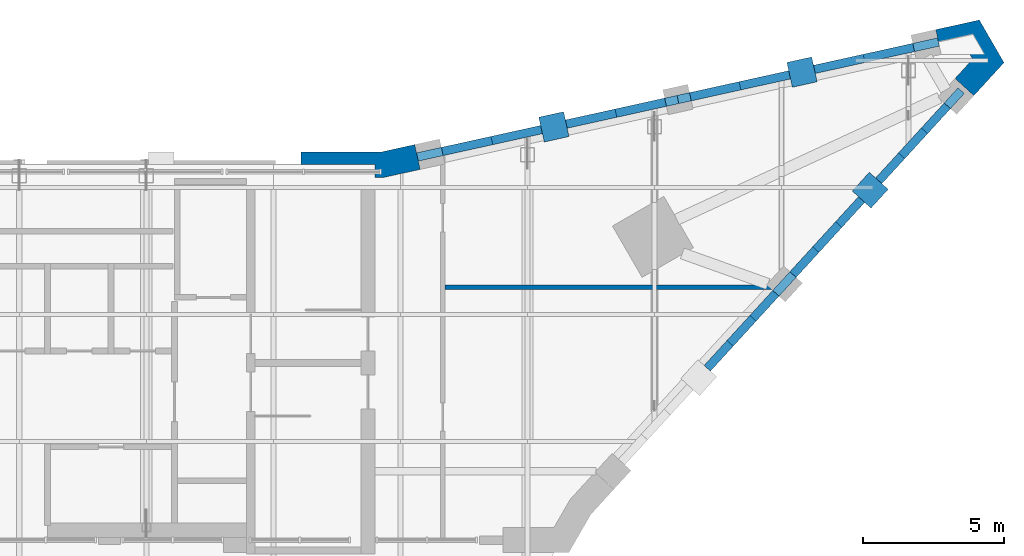
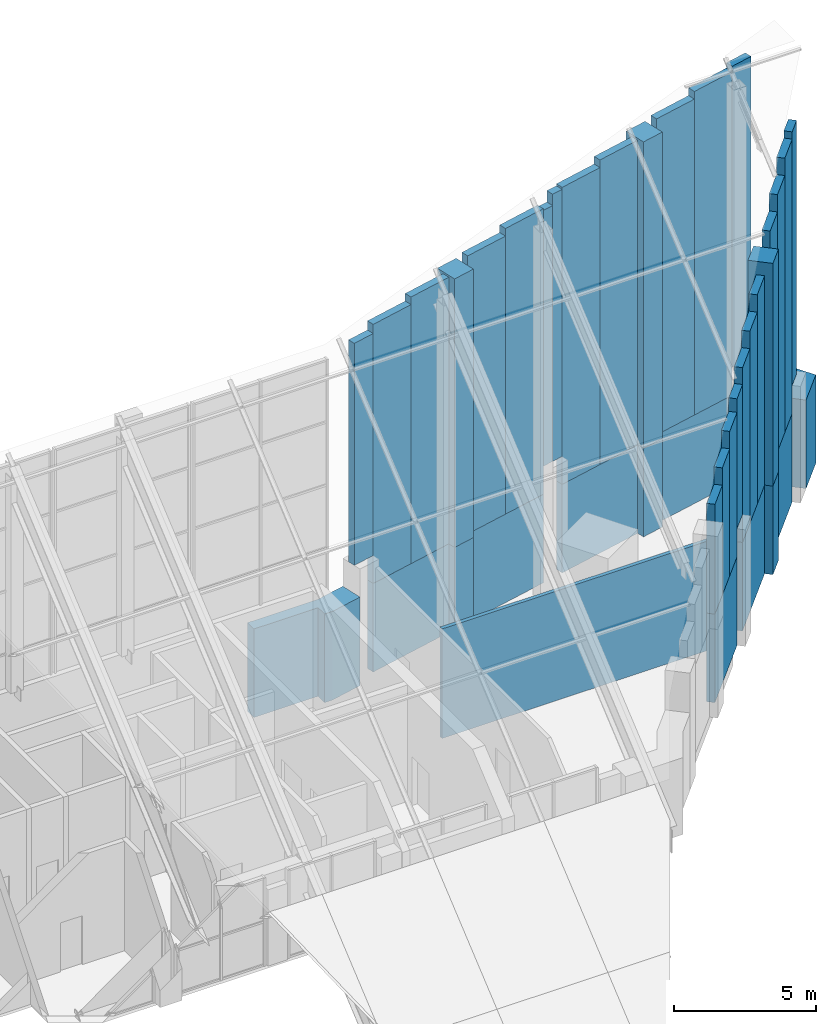
# One storey, part 14 of 19: 39 walls.
"""IFC4 building model written with IfcOpenShell, lengths in metres."""

from ifc_helpers import new_model, si_unit, direction, frame, frame_2d, origin, place, context, subcontext, project, spatial, polyline, rectangle, outline, extrude, material, layer, layer_set, type_object, element, save


model = new_model("IFC4")

# Units and contexts
model_context = context("Model", 3, precision=1e-05, world=origin(), true_north=direction((0.0, 1.0)))
body_context = subcontext(model_context, "Body", "Model", "MODEL_VIEW")
ifc_project = project(units=[si_unit("LENGTHUNIT", "METRE"), si_unit("AREAUNIT", "SQUARE_METRE"), si_unit("VOLUMEUNIT", "CUBIC_METRE"), si_unit("PLANEANGLEUNIT", "RADIAN"), si_unit("MASSUNIT", "GRAM", prefix="KILO")], contexts=[model_context])

# Site, building, storey
site_placement = place(None, origin())
site = spatial("IfcSite", under=ifc_project, at=site_placement, CompositionType="ELEMENT")
building_placement = place(site_placement, origin())
building = spatial("IfcBuilding", under=site, at=building_placement, Name="Calabash Gate Tower", CompositionType="ELEMENT")
storey_placement = place(building_placement, frame((0.0, 0.0, 335.5)))
storey = spatial("IfcBuildingStorey", under=building, at=storey_placement, Name="L78", CompositionType="ELEMENT", Elevation=335.5)

# Walls
ifc_material_1 = material(Name="Terracotta brick masonry, exposed face", Category="masonry")
ifc_layer_1 = layer(ifc_material_1, 0.89990234375)
ifc_layer_set_1 = layer_set([ifc_layer_1], Name="Brick end wall 900")
wall_type_1 = type_object("IfcWallType", Name="Brick end wall 900", PredefinedType="SOLIDWALL", material=ifc_layer_set_1)
wall_1_placement = place(storey_placement, frame((30.44482421875, 18.47900390625, 0.0), z_axis=(0.0, 0.0, 1.0), x_axis=(-0.674938051731, -0.737874397391, 0.0)))
element("IfcWall", 1, at=wall_1_placement, inside=storey, type_object=wall_type_1, Name="Brick pier L78 crown3.3", PredefinedType="SOLIDWALL", context=body_context, shape_type="SweptSolid", body=[
    extrude(rectangle(XDim=0.89990234375, YDim=0.89990234375, at=frame_2d((0.449951171875, 0.0))), origin(), (0.0, 0.0, 1.0), 3.800048828125),
])
for number, where, z_axis, x_axis, name in (
    (2, (28.16650390625, 22.42529296875, 0.0), (0.0, 0.0, 1.0), (-0.976473402733, -0.215637876437, 0.0), "Brick pier L78 crown5.1"),
    (3, (18.4990234375, 20.2919921875, 0.0), (0.0, 0.0, 1.0), (0.976473402733, 0.215637876437, 0.0), "Brick pier L78 crown5.3"),
):
    element("IfcWall", number, at=place(storey_placement, frame(where, z_axis=z_axis, x_axis=x_axis)), inside=storey, type_object=wall_type_1, Name=name, PredefinedType="SOLIDWALL", context=body_context, shape_type="SweptSolid", body=[
        extrude(rectangle(XDim=0.900146484375, YDim=0.89990234375, at=frame_2d((0.4501953125, 0.0))), origin(), (0.0, 0.0, 1.0), 3.800048828125),
    ])
wall_2_placement = place(storey_placement, origin())
element("IfcWall", 4, at=wall_2_placement, inside=storey, type_object=wall_type_1, Name="Brick end wall L78 3", PredefinedType="SOLIDWALL", context=body_context, shape_type="SweptSolid", body=[
    extrude(outline(polyline([(33.813720703125, 21.496337890625), (34.881591796875, 22.663818359375), (34.0087890625, 24.175048828125), (32.4638671875, 23.834228515625), (32.65771484375, 22.955322265625), (33.55908203125, 23.154296875), (33.7724609375, 22.78466796875), (33.149658203125, 22.103759765625), (33.813720703125, 21.496337890625)])), origin(), (0.0, 0.0, 1.0), 3.800048828125),
])
wall_3_placement = place(storey_placement, origin())
element("IfcWall", 5, at=wall_3_placement, inside=storey, type_object=wall_type_1, Name="Brick end wall L78 4", PredefinedType="SOLIDWALL", context=body_context, shape_type="SweptSolid", body=[
    extrude(outline(polyline([(14.007568359375, 19.761474609375), (12.83251953125, 19.50244140625), (9.984375, 19.50244140625), (9.984375, 19.052490234375), (12.60009765625, 19.052490234375), (12.60009765625, 18.6025390625), (12.930419921875, 18.6025390625), (14.201416015625, 18.883056640625), (14.007568359375, 19.761474609375)])), origin(), (0.0, 0.0, 1.0), 3.800048828125),
])
ifc_material_2 = material(Name="Gypsum board on steel studs, mineral wool", Category="steel")
ifc_layer_2 = layer(ifc_material_2, 0.14990234375)
ifc_layer_set_2 = layer_set([ifc_layer_2], Name="Partition 150 gypsum board")
wall_type_2 = type_object("IfcWallType", Name="Partition 150 gypsum board", PredefinedType="PARTITIONING", material=ifc_layer_set_2)
wall_4_placement = place(storey_placement, frame((15.074951171875, 14.70947265625, 0.0), z_axis=(0.0, 0.0, 1.0), x_axis=(1.0, 0.0, 0.0)))
element("IfcWall", 6, at=wall_4_placement, inside=storey, type_object=wall_type_2, Name="Partition", PredefinedType="PARTITIONING", context=body_context, shape_type="SweptSolid", body=[
    extrude(rectangle(XDim=11.7392578125, YDim=0.14990234375, at=frame_2d((5.86962890625, 0.0))), origin(), (0.0, 0.0, 1.0), 4.699951171875),
])
ifc_material_3 = material(Name="Terracotta louvre blades in an aluminium frame", Category="masonry")
ifc_layer_3 = layer(ifc_material_3, 0.300048828125)
ifc_layer_set_3 = layer_set([ifc_layer_3], Name="Terracotta louvre wall 300")
wall_type_3 = type_object("IfcWallType", Name="Terracotta louvre wall 300", PredefinedType="ELEMENTEDWALL", material=ifc_layer_set_3)
wall_5_placement = place(storey_placement, frame((24.37109375, 11.837646484375, 0.0), z_axis=(0.0, 0.0, 1.0), x_axis=(0.674867348758, 0.737939063595, 0.0)))
element("IfcWall", 7, at=wall_5_placement, inside=storey, type_object=wall_type_3, Name="LOUVRE L78 crown3.2", PredefinedType="ELEMENTEDWALL", context=body_context, shape_type="SweptSolid", body=[
    extrude(rectangle(XDim=3.599853515625, YDim=0.300048828125, at=frame_2d((1.7998046875, 0.0))), origin(), (0.0, 0.0, 1.0), 3.800048828125),
])
for number, where, z_axis, x_axis, name in (
    (8, (27.407958984375, 15.158203125, 0.0), (0.0, 0.0, 1.0), (0.674833575111, 0.737969949187, 0.0), "LOUVRE L78 crown3.3"),
    (9, (30.44482421875, 18.47900390625, 0.0), (0.0, 0.0, 1.0), (0.674833575111, 0.737969949187, 0.0), "LOUVRE L78 crown3.4"),
):
    element("IfcWall", number, at=place(storey_placement, frame(where, z_axis=z_axis, x_axis=x_axis)), inside=storey, type_object=wall_type_3, Name=name, PredefinedType="ELEMENTEDWALL", context=body_context, shape_type="SweptSolid", body=[
        extrude(rectangle(XDim=3.60009765625, YDim=0.300048828125, at=frame_2d((1.800048828125, 0.0))), origin(), (0.0, 0.0, 1.0), 3.800048828125),
    ])
wall_6_placement = place(storey_placement, frame((31.681884765625, 23.200927734375, 0.0), z_axis=(0.0, 0.0, 1.0), x_axis=(-0.976513072969, -0.215458159096, 0.0)))
element("IfcWall", 10, at=wall_6_placement, inside=storey, type_object=wall_type_3, Name="LOUVRE L78 crown5.1", PredefinedType="ELEMENTEDWALL", context=body_context, shape_type="SweptSolid", body=[
    extrude(rectangle(XDim=3.599853515625, YDim=0.300048828125, at=frame_2d((1.7998046875, 0.0))), origin(), (0.0, 0.0, 1.0), 3.800048828125),
])
wall_7_placement = place(storey_placement, origin())
element("IfcWall", 11, at=wall_7_placement, inside=storey, type_object=wall_type_3, Name="LOUVRE L78 crown5.2", PredefinedType="ELEMENTEDWALL", context=body_context, shape_type="SweptSolid", body=[
    extrude(outline(polyline([(27.25537109375, 22.377685546875), (23.740234375, 21.60205078125), (23.804931640625, 21.30908203125), (27.31982421875, 22.084716796875), (27.25537109375, 22.377685546875)])), origin(), (0.0, 0.0, 1.0), 3.800048828125),
])
for number, where, z_axis, x_axis, name in (
    (12, (22.893310546875, 21.26171875, 0.0), (0.0, 0.0, 1.0), (-0.976513072969, -0.215458159096, 0.0), "LOUVRE L78 crown5.3"),
    (13, (18.4990234375, 20.2919921875, 0.0), (0.0, 0.0, 1.0), (-0.976513072969, -0.215458159096, 0.0), "LOUVRE L78 crown5.4"),
):
    element("IfcWall", number, at=place(storey_placement, frame(where, z_axis=z_axis, x_axis=x_axis)), inside=storey, type_object=wall_type_3, Name=name, PredefinedType="ELEMENTEDWALL", context=body_context, shape_type="SweptSolid", body=[
        extrude(rectangle(XDim=3.599853515625, YDim=0.300048828125, at=frame_2d((1.7998046875, 0.0))), origin(), (0.0, 0.0, 1.0), 3.800048828125),
    ])
wall_8_placement = place(storey_placement, frame((0.0, 0.0, 5.0)))
element("IfcWall", 14, at=wall_8_placement, inside=storey, type_object=wall_type_3, Name="LOUVRE L78 crown upper 3.8h", PredefinedType="ELEMENTEDWALL", context=body_context, shape_type="SweptSolid", body=[
    extrude(outline(polyline([(26.9111328125, 14.392578125), (27.518310546875, 15.056884765625), (27.297119140625, 15.25927734375), (26.689697265625, 14.59521484375), (26.9111328125, 14.392578125)])), origin(), (0.0, 0.0, 1.0), 5.578369140625),
])
wall_9_placement = place(storey_placement, frame((0.0, 0.0, 5.0)))
element("IfcWall", 15, at=wall_9_placement, inside=storey, type_object=wall_type_3, Name="LOUVRE L78 crown upper 3.14h", PredefinedType="ELEMENTEDWALL", context=body_context, shape_type="SweptSolid", body=[
    extrude(outline(polyline([(33.474609375, 21.570068359375), (33.253173828125, 21.7724609375), (32.763671875, 21.237060546875), (32.985107421875, 21.03466796875), (33.474609375, 21.570068359375)])), origin(), (0.0, 0.0, 1.0), 10.880126953125),
])
wall_10_placement = place(storey_placement, frame((0.0, 0.0, 5.0)))
element("IfcWall", 16, at=wall_10_placement, inside=storey, type_object=wall_type_3, Name="LOUVRE L78 crown upper 5.1h", PredefinedType="ELEMENTEDWALL", context=body_context, shape_type="SweptSolid", body=[
    extrude(outline(polyline([(32.528076171875, 23.541259765625), (31.6494140625, 23.347412109375), (31.7138671875, 23.054443359375), (32.5927734375, 23.248291015625), (32.528076171875, 23.541259765625)])), origin(), (0.0, 0.0, 1.0), 12.914794921875),
])
wall_11_placement = place(storey_placement, frame((0.0, 0.0, 5.0)))
element("IfcWall", 17, at=wall_11_placement, inside=storey, type_object=wall_type_3, Name="LOUVRE L78 crown upper 5.4h", PredefinedType="ELEMENTEDWALL", context=body_context, shape_type="SweptSolid", body=[
    extrude(outline(polyline([(23.30029296875, 21.505126953125), (23.364990234375, 21.212158203125), (23.804931640625, 21.30908203125), (23.740234375, 21.60205078125), (23.30029296875, 21.505126953125)])), origin(), (0.0, 0.0, 1.0), 11.46337890625),
])
wall_12_placement = place(storey_placement, frame((0.0, 0.0, 5.0)))
element("IfcWall", 18, at=wall_12_placement, inside=storey, type_object=wall_type_3, Name="LOUVRE L78 crown upper 5.5h", PredefinedType="ELEMENTEDWALL", context=body_context, shape_type="SweptSolid", body=[
    extrude(outline(polyline([(23.29833984375, 21.504638671875), (22.861328125, 21.408203125), (22.926025390625, 21.115234375), (23.363037109375, 21.211669921875), (23.29833984375, 21.504638671875)])), origin(), (0.0, 0.0, 1.0), 10.979736328125),
])
wall_13_placement = place(storey_placement, frame((0.0, 0.0, 5.0)))
element("IfcWall", 19, at=wall_13_placement, inside=storey, type_object=wall_type_3, Name="LOUVRE L78 crown upper 5.8h", PredefinedType="ELEMENTEDWALL", context=body_context, shape_type="SweptSolid", body=[
    extrude(outline(polyline([(14.13671875, 19.176025390625), (15.015625, 19.369873046875), (14.950927734375, 19.662841796875), (14.072265625, 19.468994140625), (14.13671875, 19.176025390625)])), origin(), (0.0, 0.0, 1.0), 9.5283203125),
])
wall_14_placement = place(storey_placement, frame((30.44482421875, 18.47900390625, 3.800048828125), z_axis=(0.0, 0.0, 1.0), x_axis=(-0.674938051731, -0.737874397391, 0.0)))
element("IfcWall", 20, at=wall_14_placement, inside=storey, type_object=wall_type_3, Name="LOUVRE L78 crown upper 4.1", PredefinedType="ELEMENTEDWALL", context=body_context, shape_type="SweptSolid", body=[
    extrude(rectangle(XDim=0.89990234375, YDim=0.89990234375, at=frame_2d((0.449951171875, 0.0))), origin(), (0.0, 0.0, 1.0), 9.557861328125),
])
wall_15_placement = place(storey_placement, frame((24.37109375, 11.837646484375, 3.800048828125), z_axis=(0.0, 0.0, 1.0), x_axis=(0.674867348758, 0.737939063595, 0.0)))
element("IfcWall", 21, at=wall_15_placement, inside=storey, type_object=wall_type_3, Name="LOUVRE L78 crown upper 6.1", PredefinedType="ELEMENTEDWALL", context=body_context, shape_type="SweptSolid", body=[
    extrude(rectangle(XDim=1.199951171875, YDim=0.300048828125, at=frame_2d((0.60009765625, 0.0))), origin(), (0.0, 0.0, 1.0), 4.712158203125),
])
wall_16_placement = place(storey_placement, frame((25.180908203125, 12.72314453125, 3.800048828125), z_axis=(0.0, 0.0, 1.0), x_axis=(0.674867348758, 0.737939063595, 0.0)))
element("IfcWall", 22, at=wall_16_placement, inside=storey, type_object=wall_type_3, Name="LOUVRE L78 crown upper 6.2", PredefinedType="ELEMENTEDWALL", context=body_context, shape_type="SweptSolid", body=[
    extrude(rectangle(XDim=1.199951171875, YDim=0.300048828125, at=frame_2d((0.60009765625, 0.0))), origin(), (0.0, 0.0, 1.0), 5.455322265625),
])
wall_17_placement = place(storey_placement, frame((25.99072265625, 13.608642578125, 3.800048828125), z_axis=(0.0, 0.0, 1.0), x_axis=(0.674867348758, 0.737939063595, 0.0)))
element("IfcWall", 23, at=wall_17_placement, inside=storey, type_object=wall_type_3, Name="LOUVRE L78 crown upper 6.3", PredefinedType="ELEMENTEDWALL", context=body_context, shape_type="SweptSolid", body=[
    extrude(rectangle(XDim=1.199951171875, YDim=0.300048828125, at=frame_2d((0.60009765625, 0.0))), origin(), (0.0, 0.0, 1.0), 6.1982421875),
])
wall_18_placement = place(storey_placement, frame((27.407958984375, 15.158203125, 3.800048828125), z_axis=(0.0, 0.0, 1.0), x_axis=(0.674766033718, 0.73803170646, 0.0)))
element("IfcWall", 24, at=wall_18_placement, inside=storey, type_object=wall_type_3, Name="LOUVRE L78 crown upper 7.1", PredefinedType="ELEMENTEDWALL", context=body_context, shape_type="SweptSolid", body=[
    extrude(rectangle(XDim=1.2001953125, YDim=0.300048828125, at=frame_2d((0.60009765625, 0.0))), origin(), (0.0, 0.0, 1.0), 7.498779296875),
])
wall_19_placement = place(storey_placement, frame((28.2177734375, 16.0439453125, 3.800048828125), z_axis=(0.0, 0.0, 1.0), x_axis=(0.674867348758, 0.737939063595, 0.0)))
element("IfcWall", 25, at=wall_19_placement, inside=storey, type_object=wall_type_3, Name="LOUVRE L78 crown upper 7.2", PredefinedType="ELEMENTEDWALL", context=body_context, shape_type="SweptSolid", body=[
    extrude(rectangle(XDim=1.199951171875, YDim=0.300048828125, at=frame_2d((0.60009765625, 0.0))), origin(), (0.0, 0.0, 1.0), 8.24169921875),
])
wall_20_placement = place(storey_placement, frame((29.027587890625, 16.929443359375, 3.800048828125), z_axis=(0.0, 0.0, 1.0), x_axis=(0.674867348758, 0.737939063595, 0.0)))
element("IfcWall", 26, at=wall_20_placement, inside=storey, type_object=wall_type_3, Name="LOUVRE L78 crown upper 7.3", PredefinedType="ELEMENTEDWALL", context=body_context, shape_type="SweptSolid", body=[
    extrude(rectangle(XDim=1.199951171875, YDim=0.300048828125, at=frame_2d((0.60009765625, 0.0))), origin(), (0.0, 0.0, 1.0), 8.98486328125),
])
wall_21_placement = place(storey_placement, frame((30.44482421875, 18.47900390625, 3.800048828125), z_axis=(0.0, 0.0, 1.0), x_axis=(0.674867348758, 0.737939063595, 0.0)))
element("IfcWall", 27, at=wall_21_placement, inside=storey, type_object=wall_type_3, Name="LOUVRE L78 crown upper 8.1", PredefinedType="ELEMENTEDWALL", context=body_context, shape_type="SweptSolid", body=[
    extrude(rectangle(XDim=1.199951171875, YDim=0.300048828125, at=frame_2d((0.60009765625, 0.0))), origin(), (0.0, 0.0, 1.0), 10.28515625),
])
wall_22_placement = place(storey_placement, frame((31.254638671875, 19.364501953125, 3.800048828125), z_axis=(0.0, 0.0, 1.0), x_axis=(0.674766033718, 0.73803170646, 0.0)))
element("IfcWall", 28, at=wall_22_placement, inside=storey, type_object=wall_type_3, Name="LOUVRE L78 crown upper 8.2", PredefinedType="ELEMENTEDWALL", context=body_context, shape_type="SweptSolid", body=[
    extrude(rectangle(XDim=1.2001953125, YDim=0.300048828125, at=frame_2d((0.60009765625, 0.0))), origin(), (0.0, 0.0, 1.0), 11.0283203125),
])
wall_23_placement = place(storey_placement, frame((32.064453125, 20.250244140625, 3.800048828125), z_axis=(0.0, 0.0, 1.0), x_axis=(0.674867348758, 0.737939063595, 0.0)))
element("IfcWall", 29, at=wall_23_placement, inside=storey, type_object=wall_type_3, Name="LOUVRE L78 crown upper 8.3", PredefinedType="ELEMENTEDWALL", context=body_context, shape_type="SweptSolid", body=[
    extrude(rectangle(XDim=1.199951171875, YDim=0.300048828125, at=frame_2d((0.60009765625, 0.0))), origin(), (0.0, 0.0, 1.0), 11.771240234375),
])
wall_24_placement = place(storey_placement, frame((28.16650390625, 22.42529296875, 3.800048828125), z_axis=(0.0, 0.0, 1.0), x_axis=(-0.976473402733, -0.215637876437, 0.0)))
element("IfcWall", 30, at=wall_24_placement, inside=storey, type_object=wall_type_3, Name="LOUVRE L78 crown upper 9.1", PredefinedType="ELEMENTEDWALL", context=body_context, shape_type="SweptSolid", body=[
    extrude(rectangle(XDim=0.900146484375, YDim=0.89990234375, at=frame_2d((0.4501953125, 0.0))), origin(), (0.0, 0.0, 1.0), 13.14990234375),
])
wall_25_placement = place(storey_placement, frame((18.4990234375, 20.2919921875, 3.800048828125), z_axis=(0.0, 0.0, 1.0), x_axis=(0.976473402733, 0.215637876437, 0.0)))
element("IfcWall", 31, at=wall_25_placement, inside=storey, type_object=wall_type_3, Name="LOUVRE L78 crown upper 10.1", PredefinedType="ELEMENTEDWALL", context=body_context, shape_type="SweptSolid", body=[
    extrude(rectangle(XDim=0.900146484375, YDim=0.89990234375, at=frame_2d((0.4501953125, 0.0))), origin(), (0.0, 0.0, 1.0), 11.522705078125),
])
wall_26_placement = place(storey_placement, frame((31.681884765625, 23.200927734375, 3.800048828125), z_axis=(0.0, 0.0, 1.0), x_axis=(-0.976501952058, -0.215508555808, 0.0)))
element("IfcWall", 32, at=wall_26_placement, inside=storey, type_object=wall_type_3, Name="LOUVRE L78 crown upper 11.1", PredefinedType="ELEMENTEDWALL", context=body_context, shape_type="SweptSolid", body=[
    extrude(rectangle(XDim=1.800048828125, YDim=0.300048828125, at=frame_2d((0.89990234375, 0.0))), origin(), (0.0, 0.0, 1.0), 13.8837890625),
])
wall_27_placement = place(storey_placement, frame((29.924072265625, 22.81298828125, 3.800048828125), z_axis=(0.0, 0.0, 1.0), x_axis=(-0.976524193076, -0.215407753661, 0.0)))
element("IfcWall", 33, at=wall_27_placement, inside=storey, type_object=wall_type_3, Name="LOUVRE L78 crown upper 11.2", PredefinedType="ELEMENTEDWALL", context=body_context, shape_type="SweptSolid", body=[
    extrude(rectangle(XDim=1.7998046875, YDim=0.300048828125, at=frame_2d((0.89990234375, 0.0))), origin(), (0.0, 0.0, 1.0), 13.558349609375),
])
wall_28_placement = place(storey_placement, frame((23.7724609375, 21.45556640625, 3.800048828125), z_axis=(0.0, 0.0, 1.0), x_axis=(0.976495651835, 0.215537101093, 0.0)))
element("IfcWall", 34, at=wall_28_placement, inside=storey, type_object=wall_type_3, Name="LOUVRE L78 crown upper 12.1", PredefinedType="ELEMENTEDWALL", context=body_context, shape_type="SweptSolid", body=[
    extrude(rectangle(XDim=1.7998046875, YDim=0.300048828125, at=frame_2d((0.89990234375, 0.0))), origin(), (0.0, 0.0, 1.0), 12.744873046875),
])
wall_29_placement = place(storey_placement, frame((25.530029296875, 21.843505859375, 3.800048828125), z_axis=(0.0, 0.0, 1.0), x_axis=(0.976524193076, 0.215407753661, 0.0)))
element("IfcWall", 35, at=wall_29_placement, inside=storey, type_object=wall_type_3, Name="LOUVRE L78 crown upper 12.2", PredefinedType="ELEMENTEDWALL", context=body_context, shape_type="SweptSolid", body=[
    extrude(rectangle(XDim=1.7998046875, YDim=0.300048828125, at=frame_2d((0.89990234375, 0.0))), origin(), (0.0, 0.0, 1.0), 13.0703125),
])
wall_30_placement = place(storey_placement, frame((22.893310546875, 21.26171875, 3.800048828125), z_axis=(0.0, 0.0, 1.0), x_axis=(-0.976501952058, -0.215508555808, 0.0)))
element("IfcWall", 36, at=wall_30_placement, inside=storey, type_object=wall_type_3, Name="LOUVRE L78 crown upper 13.1", PredefinedType="ELEMENTEDWALL", context=body_context, shape_type="SweptSolid", body=[
    extrude(rectangle(XDim=1.800048828125, YDim=0.300048828125, at=frame_2d((0.89990234375, 0.0))), origin(), (0.0, 0.0, 1.0), 12.256591796875),
])
wall_31_placement = place(storey_placement, frame((21.135498046875, 20.873779296875, 3.800048828125), z_axis=(0.0, 0.0, 1.0), x_axis=(-0.976524193076, -0.215407753661, 0.0)))
element("IfcWall", 37, at=wall_31_placement, inside=storey, type_object=wall_type_3, Name="LOUVRE L78 crown upper 13.2", PredefinedType="ELEMENTEDWALL", context=body_context, shape_type="SweptSolid", body=[
    extrude(rectangle(XDim=1.7998046875, YDim=0.300048828125, at=frame_2d((0.89990234375, 0.0))), origin(), (0.0, 0.0, 1.0), 11.93115234375),
])
wall_32_placement = place(storey_placement, frame((18.4990234375, 20.2919921875, 3.800048828125), z_axis=(0.0, 0.0, 1.0), x_axis=(-0.976530485924, -0.21537922384, 0.0)))
element("IfcWall", 38, at=wall_32_placement, inside=storey, type_object=wall_type_3, Name="LOUVRE L78 crown upper 14.1", PredefinedType="ELEMENTEDWALL", context=body_context, shape_type="SweptSolid", body=[
    extrude(rectangle(XDim=1.800048828125, YDim=0.300048828125, at=frame_2d((0.89990234375, 0.0))), origin(), (0.0, 0.0, 1.0), 11.443115234375),
])
wall_33_placement = place(storey_placement, frame((16.7412109375, 19.904296875, 3.800048828125), z_axis=(0.0, 0.0, 1.0), x_axis=(-0.976495651835, -0.215537101093, 0.0)))
element("IfcWall", 39, at=wall_33_placement, inside=storey, type_object=wall_type_3, Name="LOUVRE L78 crown upper 14.2", PredefinedType="ELEMENTEDWALL", context=body_context, shape_type="SweptSolid", body=[
    extrude(rectangle(XDim=1.7998046875, YDim=0.300048828125, at=frame_2d((0.89990234375, 0.0))), origin(), (0.0, 0.0, 1.0), 11.11767578125),
])

save(model, "model.ifc")
